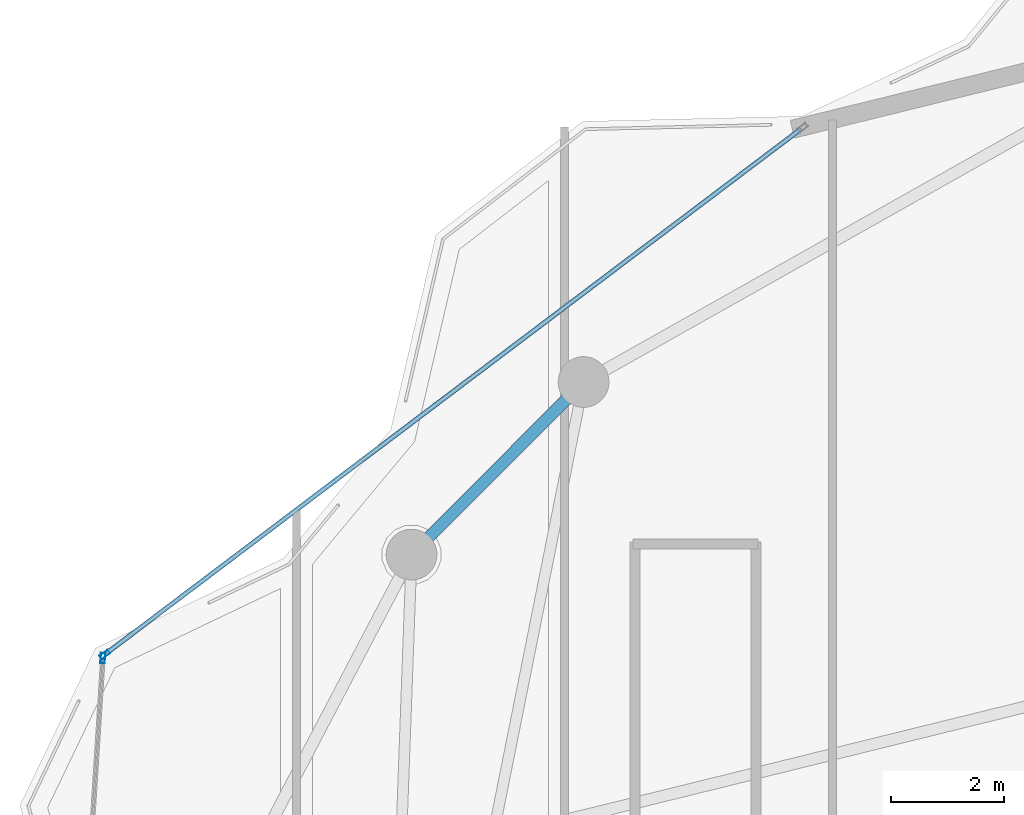
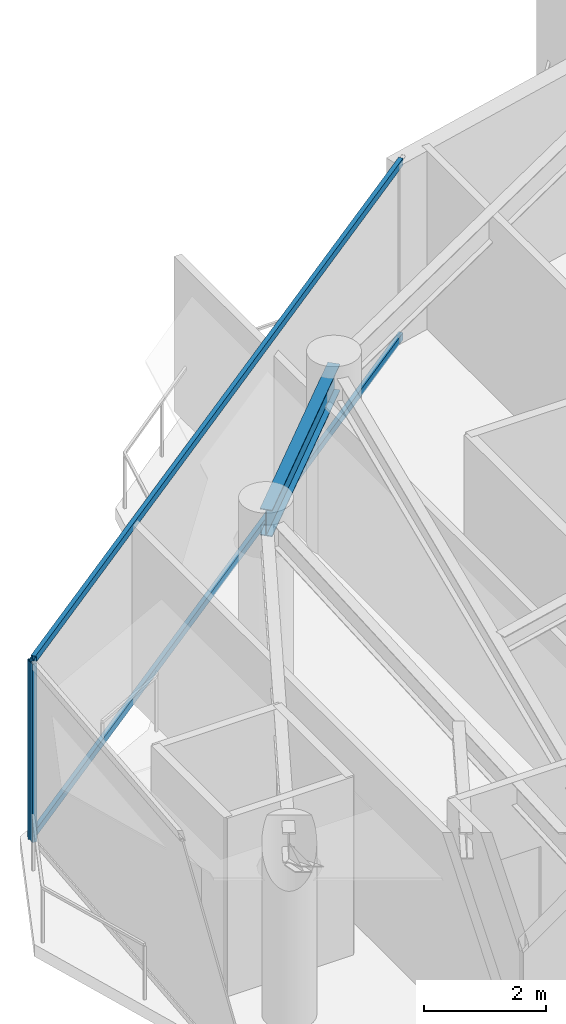
# One storey, part 17 of 29: 4 members, 1 beam, 2 elements without a shape of their own.
"""IFC4 building model written with IfcOpenShell, lengths in metres."""

from ifc_helpers import new_model, si_unit, direction, frame, origin, origin_2d, place, context, subcontext, project, spatial, hollow_rectangle, i_section, extrude, material, layer, layer_set, material_profile, profile_set, type_object, element, aggregate, save


model = new_model("IFC4")

# Units and contexts
model_context = context("Model", 3, precision=1e-05, world=origin(), true_north=direction((0.0, 1.0)))
body_context = subcontext(model_context, "Body", "Model", "MODEL_VIEW")
ifc_project = project(units=[si_unit("LENGTHUNIT", "METRE"), si_unit("AREAUNIT", "SQUARE_METRE"), si_unit("VOLUMEUNIT", "CUBIC_METRE"), si_unit("PLANEANGLEUNIT", "RADIAN"), si_unit("MASSUNIT", "GRAM", prefix="KILO")], contexts=[model_context])

# Site, building, storey
site_placement = place(None, origin())
site = spatial("IfcSite", under=ifc_project, at=site_placement, CompositionType="ELEMENT")
building_placement = place(site_placement, origin())
building = spatial("IfcBuilding", under=site, at=building_placement, Name="Kazevale Care Tower and Concert Hall", CompositionType="ELEMENT")
storey_placement = place(building_placement, frame((0.0, 0.0, 262.39990234375)))
storey = spatial("IfcBuildingStorey", under=building, at=storey_placement, Name="L69", CompositionType="ELEMENT", Elevation=262.39990234375)

# Curtain wall, member
ifc_material_1 = material(Name="Aluminium 6063-T6 and Low-E Glass", Category="aluminium")
ifc_layer = layer(ifc_material_1, 0.179931640625)
ifc_layer_set = layer_set([ifc_layer], Name="Aluminium 6063-T6 and Low-E Glass")
curtain_wall_type = type_object("IfcCurtainWallType", Name="Waist & Upper Residential Curtain Wall CW-4", PredefinedType="NOTDEFINED", material=ifc_layer_set)
curtain_wall_1_placement = place(storey_placement, origin())
curtain_wall_1 = element("IfcCurtainWall", 1, at=curtain_wall_1_placement, inside=storey, type_object=curtain_wall_type, Name="cw:L69:f13", PredefinedType="NOTDEFINED")
ifc_material_2 = material(Name="Aluminium 6063-T6", Category="aluminium")
ifc_material_profile_1 = material_profile(ifc_material_2, hollow_rectangle(XDim=0.080078125, YDim=0.179931640625, WallThickness=0.0048828125, at=origin_2d()), Name="ALU80x180x5")
ifc_profile_set_1 = profile_set([ifc_material_profile_1], Name="Aluminium 6063-T6")
member_type_1 = type_object("IfcMemberType", Name="CW-4 Mullion ALU80x180x5", PredefinedType="MULLION", material=ifc_profile_set_1)
member_1_placement = place(storey_placement, frame((17.0673828125, 49.47509765625, 0.0), z_axis=(0.0, 0.0, 1.0), x_axis=(-0.997979198047, 0.063541484604, 0.0)))
member_1 = element("IfcMember", 2, at=member_1_placement, type_object=member_type_1, Name="CW-4 mullion 2", PredefinedType="MULLION", context=body_context, shape_type="SweptSolid", body=[
    extrude(hollow_rectangle(XDim=0.080078125, YDim=0.179931640625, WallThickness=0.0048828125, at=origin_2d()), origin(), (0.0, 0.0, 1.0), 3.56005859375),
])
aggregate(curtain_wall_1, [member_1])

# Curtain wall, members
curtain_wall_2_placement = place(storey_placement, origin())
curtain_wall_2 = element("IfcCurtainWall", 3, at=curtain_wall_2_placement, inside=storey, type_object=curtain_wall_type, Name="cw:L69:f14", PredefinedType="NOTDEFINED")
member_2_placement = place(storey_placement, frame((17.101806640625, 49.5390625, 0.0), z_axis=(0.0, 0.0, 1.0), x_axis=(-0.602512583142, 0.798109382952, 0.0)))
member_2 = element("IfcMember", 4, at=member_2_placement, type_object=member_type_1, Name="CW-4 mullion 1", PredefinedType="MULLION", context=body_context, shape_type="SweptSolid", body=[
    extrude(hollow_rectangle(XDim=0.080078125, YDim=0.179931640625, WallThickness=0.0048828125, at=origin_2d()), origin(), (0.0, 0.0, 1.0), 3.56005859375),
])
ifc_material_profile_2 = material_profile(ifc_material_2, hollow_rectangle(XDim=0.080078125, YDim=0.139892578125, WallThickness=0.00390625, at=origin_2d()), Name="ALU80x140x4")
ifc_profile_set_2 = profile_set([ifc_material_profile_2], Name="Aluminium 6063-T6")
member_type_2 = type_object("IfcMemberType", Name="CW-4 Transom ALU80x140x4", PredefinedType="USERDEFINED", material=ifc_profile_set_2)
member_3_placement = place(storey_placement, frame((17.1337890625, 49.563232421875, 0.0400390625), z_axis=(0.798113604207, 0.602506991478, 0.0), x_axis=(-0.602506991478, 0.798113604207, 0.0)))
member_3 = element("IfcMember", 5, at=member_3_placement, type_object=member_type_2, Name="CW-4 transom 1.1", ObjectType="TRANSOM", PredefinedType="USERDEFINED", context=body_context, shape_type="SweptSolid", body=[
    extrude(hollow_rectangle(XDim=0.080078125, YDim=0.139892578125, WallThickness=0.00390625, at=origin_2d()), origin(), (0.0, 0.0, 1.0), 15.423095703125),
])
member_4_placement = place(storey_placement, frame((17.1337890625, 49.563232421875, 3.52001953125), z_axis=(0.798113604207, 0.602506991478, 0.0), x_axis=(-0.602506991478, 0.798113604207, 0.0)))
member_4 = element("IfcMember", 6, at=member_4_placement, type_object=member_type_2, Name="CW-4 transom 1.2", ObjectType="TRANSOM", PredefinedType="USERDEFINED", context=body_context, shape_type="SweptSolid", body=[
    extrude(hollow_rectangle(XDim=0.080078125, YDim=0.139892578125, WallThickness=0.00390625, at=origin_2d()), origin(), (0.0, 0.0, 1.0), 15.423095703125),
])
aggregate(curtain_wall_2, [member_2, member_3, member_4])

# Beam
ifc_material_3 = material(Name="Steel ASTM A572 Gr 50", Category="steel")
ifc_material_profile_3 = material_profile(ifc_material_3, i_section(OverallWidth=0.208984375, OverallDepth=0.532958984375, WebThickness=0.01025390625, FlangeThickness=0.015625, at=origin_2d()), Name="W530x92")
ifc_profile_set_3 = profile_set([ifc_material_profile_3], Name="Steel ASTM A572 Gr 50")
beam_type = type_object("IfcBeamType", Name="Upper Ring Beam W530x92", PredefinedType="BEAM", material=ifc_profile_set_3)
beam_placement = place(storey_placement, frame((25.590087890625, 54.3701171875, 3.293701171875), z_axis=(-0.705947429832, -0.708264234812, 0.0), x_axis=(0.708264234812, -0.705947429832, 0.0)))
element("IfcBeam", 7, at=beam_placement, inside=storey, type_object=beam_type, Name="beam:L69:ring:07", PredefinedType="BEAM", context=body_context, shape_type="SweptSolid", body=[
    extrude(i_section(OverallWidth=0.208984375, OverallDepth=0.532958984375, WebThickness=0.01025390625, FlangeThickness=0.015625, at=origin_2d()), origin(), (0.0, 0.0, 1.0), 4.320556640625),
])

save(model, "model.ifc")
